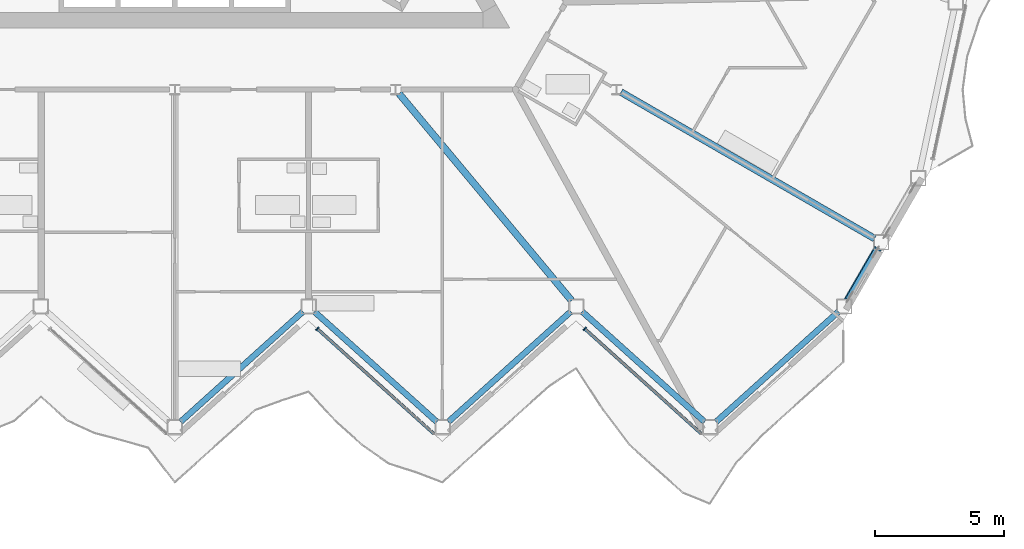
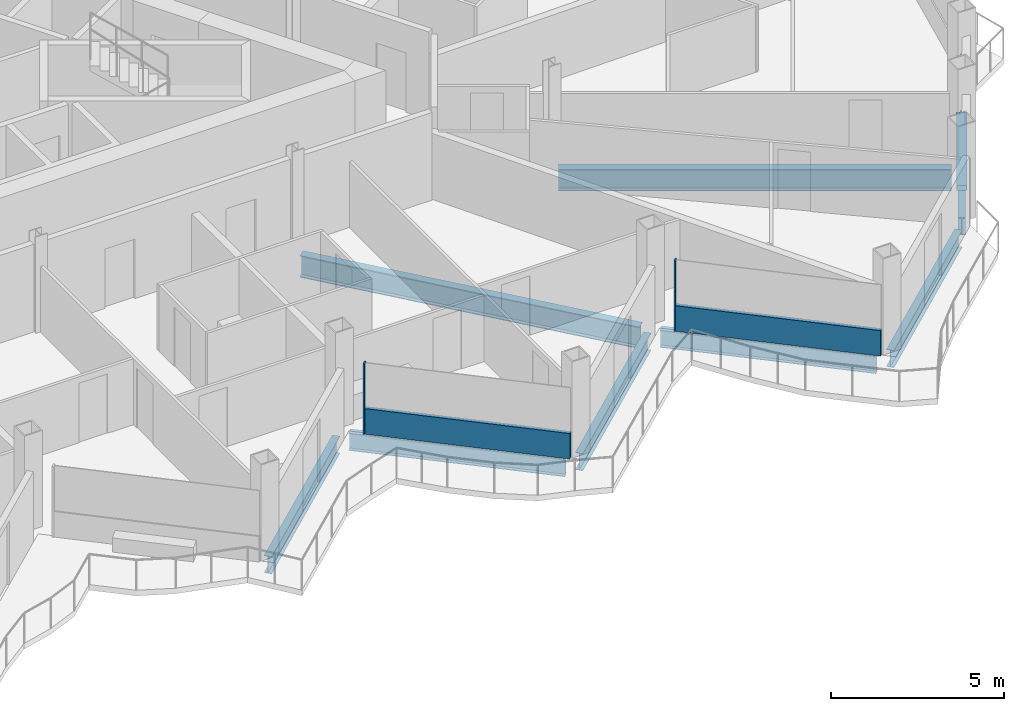
# One storey, part 7 of 27: 8 beams, 5 members, 2 elements without a shape of their own.
"""IFC4 building model written with IfcOpenShell, lengths in metres."""

from ifc_helpers import new_model, si_unit, direction, frame, origin, origin_2d, place, context, subcontext, project, spatial, rectangle, hollow_rectangle, i_section, extrude, material, layer, layer_set, material_profile, profile_set, type_object, element, aggregate, save


model = new_model("IFC4")

# Units and contexts
model_context = context("Model", 3, precision=1e-05, world=origin(), true_north=direction((0.0, 1.0)))
body_context = subcontext(model_context, "Body", "Model", "MODEL_VIEW")
ifc_project = project(units=[si_unit("LENGTHUNIT", "METRE"), si_unit("AREAUNIT", "SQUARE_METRE"), si_unit("VOLUMEUNIT", "CUBIC_METRE"), si_unit("PLANEANGLEUNIT", "RADIAN"), si_unit("MASSUNIT", "GRAM", prefix="KILO")], contexts=[model_context])

# Site, building, storey
site_placement = place(None, origin())
site = spatial("IfcSite", under=ifc_project, at=site_placement, CompositionType="ELEMENT")
building_placement = place(site_placement, origin())
building = spatial("IfcBuilding", under=site, at=building_placement, Name="Cormorant Prow Tower", CompositionType="ELEMENT")
storey_placement = place(building_placement, frame((0.0, 0.0, 312.0)))
storey = spatial("IfcBuildingStorey", under=building, at=storey_placement, Name="L68", CompositionType="ELEMENT", Elevation=312.0)

# Member
ifc_material_1 = material(Name="Structural steel ASTM A500 Gr C", Category="steel")
ifc_material_profile_1 = material_profile(ifc_material_1, hollow_rectangle(XDim=0.3046875, YDim=0.3046875, WallThickness=0.01171875, at=origin_2d()), Name="HSS12x12x1/2")
ifc_profile_set_1 = profile_set([ifc_material_profile_1], Name="Structural steel ASTM A500 Gr C")
member_type_1 = type_object("IfcMemberType", Name="Chamfer brace HSS12x12x1/2", PredefinedType="BRACE", material=ifc_profile_set_1)
member_1_placement = place(storey_placement, frame((26.15283203125, -18.05419921875, 0.7412109375), z_axis=(0.456265706889, 0.790324476185, 0.408911759503), x_axis=(-0.866038851724, 0.499976706761, 0.0)))
element("IfcMember", 1, at=member_1_placement, inside=storey, type_object=member_type_1, Name="Chamfer brace BR3 at ESE00 L68", PredefinedType="BRACE", context=body_context, shape_type="SweptSolid", body=[
    extrude(hollow_rectangle(XDim=0.3046875, YDim=0.3046875, WallThickness=0.01171875, at=origin_2d()), origin(), (0.0, 0.0, 1.0), 2.459228515625),
])

# Beams
ifc_material_2 = material(Name="Structural steel ASTM A992 Gr 50", Category="steel")
ifc_material_profile_2 = material_profile(ifc_material_2, i_section(OverallWidth=0.267822265625, OverallDepth=0.77001953125, WebThickness=0.015625, FlangeThickness=0.025390625, at=origin_2d()), Name="W30x132")
ifc_profile_set_2 = profile_set([ifc_material_profile_2], Name="Structural steel ASTM A992 Gr 50")
beam_type_1 = type_object("IfcBeamType", Name="Radial floor beam W30x132", PredefinedType="BEAM", material=ifc_profile_set_2)
beam_1_placement = place(storey_placement, frame((8.705078125, -10.057373046875, -0.68505859375), z_axis=(0.640239469619, -0.768175384624, 0.0), x_axis=(0.768175384624, 0.640239469619, 0.0)))
element("IfcBeam", 2, at=beam_1_placement, inside=storey, type_object=beam_type_1, Name="Radial floor beam FB3 8 L68", PredefinedType="BEAM", context=body_context, shape_type="SweptSolid", body=[
    extrude(i_section(OverallWidth=0.267822265625, OverallDepth=0.77001953125, WebThickness=0.015625, FlangeThickness=0.025390625, at=origin_2d()), origin(), (0.0, 0.0, 1.0), 10.465087890625),
])
beam_2_placement = place(storey_placement, frame((17.328125, -10.00439453125, -0.68505859375), z_axis=(0.866024637028, -0.500001328059, 0.0), x_axis=(0.500001328059, 0.866024637028, 0.0)))
element("IfcBeam", 3, at=beam_2_placement, inside=storey, type_object=beam_type_1, Name="Radial floor beam FB3 9 L68", PredefinedType="BEAM", context=body_context, shape_type="SweptSolid", body=[
    extrude(i_section(OverallWidth=0.267822265625, OverallDepth=0.77001953125, WebThickness=0.015625, FlangeThickness=0.025390625, at=origin_2d()), origin(), (0.0, 0.0, 1.0), 11.3671875),
])

# Curtain wall, member
ifc_material_3 = material(Name="Aluminium 6063-T6", Category="aluminium")
ifc_layer = layer(ifc_material_3, 0.159912109375)
ifc_layer_set = layer_set([ifc_layer], Name="Aluminium 6063-T6")
curtain_wall_type = type_object("IfcCurtainWallType", Name="Residential unitised curtain wall 160", PredefinedType="NOTDEFINED", material=ifc_layer_set)
curtain_wall_1_placement = place(storey_placement, origin())
curtain_wall_1 = element("IfcCurtainWall", 4, at=curtain_wall_1_placement, inside=storey, type_object=curtain_wall_type, Name="Residential curtain wall S06", PredefinedType="NOTDEFINED")
ifc_material_4 = material(Name="Aluminium 6063-T6", Category="aluminium")
ifc_material_profile_3 = material_profile(ifc_material_4, rectangle(XDim=0.159912109375, YDim=0.050048828125, at=origin_2d()), Name="Residential mullion 50x160")
ifc_profile_set_3 = profile_set([ifc_material_profile_3], Name="Aluminium 6063-T6")
member_type_2 = type_object("IfcMemberType", Name="Residential mullion 50x160", PredefinedType="MULLION", material=ifc_profile_set_3)
member_2_placement = place(storey_placement, frame((5.533935546875, -19.193603515625, 0.0), z_axis=(0.0, 0.0, 1.0), x_axis=(0.669130619757, 0.743144813413, 0.0)))
member_2 = element("IfcMember", 5, at=member_2_placement, type_object=member_type_2, Name="Residential mullion S06", PredefinedType="MULLION", context=body_context, shape_type="SweptSolid", body=[
    extrude(rectangle(XDim=0.159912109375, YDim=0.050048828125, at=origin_2d()), origin(), (0.0, 0.0, 1.0), 2.48779296875),
])

curtain_wall_2_placement = place(storey_placement, origin())
curtain_wall_2 = element("IfcCurtainWall", 6, at=curtain_wall_2_placement, inside=storey, type_object=curtain_wall_type, Name="Residential curtain wall S08", PredefinedType="NOTDEFINED")
member_3_placement = place(storey_placement, frame((15.919677734375, -19.193603515625, 0.0), z_axis=(0.0, 0.0, 1.0), x_axis=(0.669130619757, 0.743144813413, 0.0)))
member_3 = element("IfcMember", 7, at=member_3_placement, type_object=member_type_2, Name="Residential mullion S08", PredefinedType="MULLION", context=body_context, shape_type="SweptSolid", body=[
    extrude(rectangle(XDim=0.159912109375, YDim=0.050048828125, at=origin_2d()), origin(), (0.0, 0.0, 1.0), 2.48779296875),
])

# Member
ifc_material_5 = material(Name="Terracotta", Category="masonry")
ifc_material_profile_4 = material_profile(ifc_material_5, rectangle(XDim=0.1201171875, YDim=0.89990234375, at=origin_2d()), Name="Residential terracotta spandrel rail 120x900")
ifc_profile_set_4 = profile_set([ifc_material_profile_4], Name="Terracotta")
member_type_3 = type_object("IfcMemberType", Name="Residential terracotta spandrel rail 120x900", PredefinedType="USERDEFINED", material=ifc_profile_set_4)
member_4_placement = place(storey_placement, frame((5.552490234375, -19.21044921875, 0.449951171875), z_axis=(0.743162128872, -0.669111388492, 0.0), x_axis=(0.669111388492, 0.743162128872, 0.0)))
member_4 = element("IfcMember", 8, at=member_4_placement, type_object=member_type_3, Name="Residential spandrel rail S06", ObjectType="TRANSOM", PredefinedType="USERDEFINED", context=body_context, shape_type="SweptSolid", body=[
    extrude(rectangle(XDim=0.1201171875, YDim=0.89990234375, at=origin_2d()), origin(), (0.0, 0.0, 1.0), 6.069580078125),
])

aggregate(curtain_wall_1, [member_2, member_4])

member_5_placement = place(storey_placement, frame((15.938232421875, -19.21044921875, 0.449951171875), z_axis=(0.743144119775, -0.66913139012, 0.0), x_axis=(0.66913139012, 0.743144119775, 0.0)))
member_5 = element("IfcMember", 9, at=member_5_placement, type_object=member_type_3, Name="Residential spandrel rail S08", ObjectType="TRANSOM", PredefinedType="USERDEFINED", context=body_context, shape_type="SweptSolid", body=[
    extrude(rectangle(XDim=0.1201171875, YDim=0.89990234375, at=origin_2d()), origin(), (0.0, 0.0, 1.0), 6.069580078125),
])

aggregate(curtain_wall_2, [member_3, member_5])

# Beams
ifc_material_6 = material(Name="Structural steel ASTM A992 Gr 50", Category="steel")
ifc_material_profile_5 = material_profile(ifc_material_6, i_section(OverallWidth=0.22900390625, OverallDepth=0.612060546875, WebThickness=0.011962890625, FlangeThickness=0.01953125, at=origin_2d()), Name="W24x84")
ifc_profile_set_5 = profile_set([ifc_material_profile_5], Name="Structural steel ASTM A992 Gr 50")
beam_type_2 = type_object("IfcBeamType", Name="Spandrel beam W24x84", PredefinedType="SPANDREL", material=ifc_profile_set_5)
for number, where, z_axis, x_axis, name in (
    (10, (0.222900390625, -22.807373046875, -0.60595703125), (0.743144186555, 0.669131315954, 0.0), (-0.669131315954, 0.743144186555, 0.0), "Spandrel beam SB3 S05-S06 L68"),
    (11, (5.422119140625, -18.527587890625, -0.60595703125), (0.743144186555, -0.669131315954, 0.0), (0.669131315954, 0.743144186555, 0.0), "Spandrel beam SB3 S06-S07 L68"),
    (12, (10.62109375, -22.807373046875, -0.60595703125), (0.743144186555, 0.669131315954, 0.0), (-0.669131315954, 0.743144186555, 0.0), "Spandrel beam SB3 S07-S08 L68"),
):
    element("IfcBeam", number, at=place(storey_placement, frame(where, z_axis=z_axis, x_axis=x_axis)), inside=storey, type_object=beam_type_2, Name=name, PredefinedType="SPANDREL", context=body_context, shape_type="SweptSolid", body=[
        extrude(i_section(OverallWidth=0.22900390625, OverallDepth=0.612060546875, WebThickness=0.011962890625, FlangeThickness=0.01953125, at=origin_2d()), origin(), (0.0, 0.0, 1.0), 6.39599609375),
    ])
beam_3_placement = place(storey_placement, frame((15.820068359375, -18.527587890625, -0.60595703125), z_axis=(0.743161276225, -0.669112335502, 0.0), x_axis=(0.669112335502, 0.743161276225, 0.0)))
element("IfcBeam", 13, at=beam_3_placement, inside=storey, type_object=beam_type_2, Name="Spandrel beam SB3 S08-S09 L68", PredefinedType="SPANDREL", context=body_context, shape_type="SweptSolid", body=[
    extrude(i_section(OverallWidth=0.22900390625, OverallDepth=0.612060546875, WebThickness=0.011962890625, FlangeThickness=0.01953125, at=origin_2d()), origin(), (0.0, 0.0, 1.0), 6.396240234375),
])
beam_4_placement = place(storey_placement, frame((21.019287109375, -22.807373046875, -0.60595703125), z_axis=(0.743144186555, 0.669131315954, 0.0), x_axis=(-0.669131315954, 0.743144186555, 0.0)))
element("IfcBeam", 14, at=beam_4_placement, inside=storey, type_object=beam_type_2, Name="Spandrel beam SB3 S09-ESE00 L68", PredefinedType="SPANDREL", context=body_context, shape_type="SweptSolid", body=[
    extrude(i_section(OverallWidth=0.22900390625, OverallDepth=0.612060546875, WebThickness=0.011962890625, FlangeThickness=0.01953125, at=origin_2d()), origin(), (0.0, 0.0, 1.0), 6.39599609375),
])
beam_5_placement = place(storey_placement, frame((26.1455078125, -18.06689453125, -0.60595703125), z_axis=(0.49997342893, 0.866040744055, 0.0), x_axis=(-0.866040744055, 0.49997342893, 0.0)))
element("IfcBeam", 15, at=beam_5_placement, inside=storey, type_object=beam_type_2, Name="Spandrel beam SB3 ESE00-ESE01 L68", PredefinedType="SPANDREL", context=body_context, shape_type="SweptSolid", body=[
    extrude(i_section(OverallWidth=0.22900390625, OverallDepth=0.612060546875, WebThickness=0.011962890625, FlangeThickness=0.01953125, at=origin_2d()), origin(), (0.0, 0.0, 1.0), 2.2734375),
])

save(model, "model.ifc")
